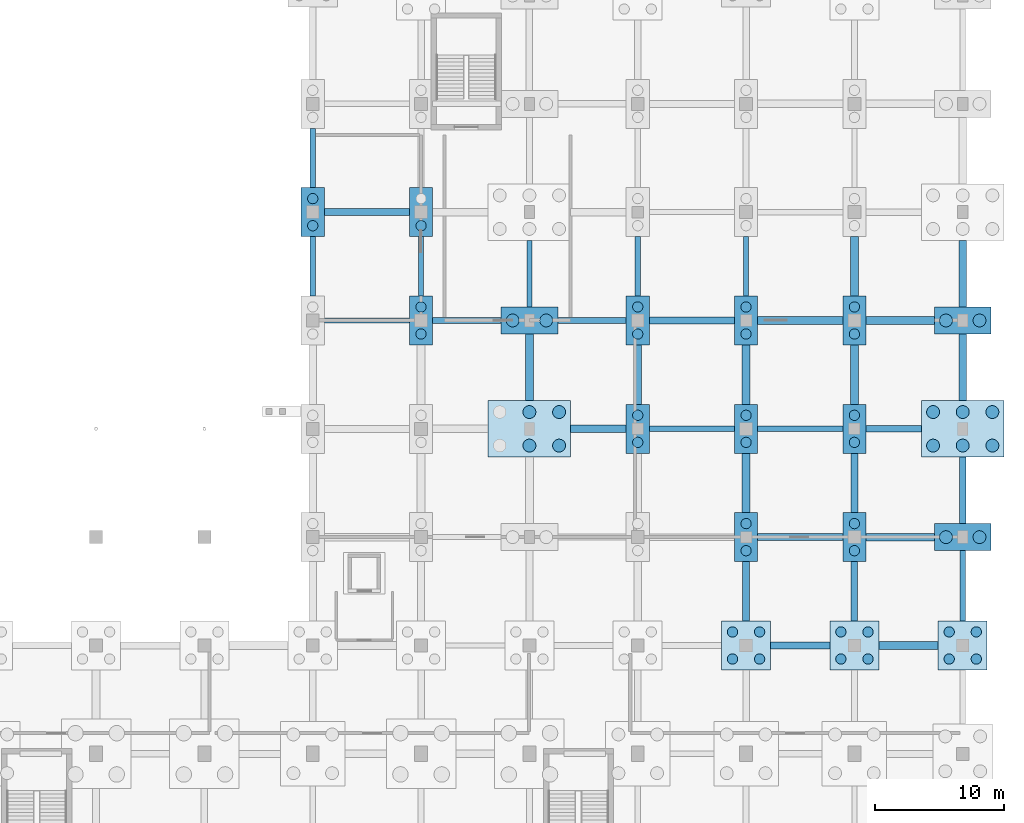
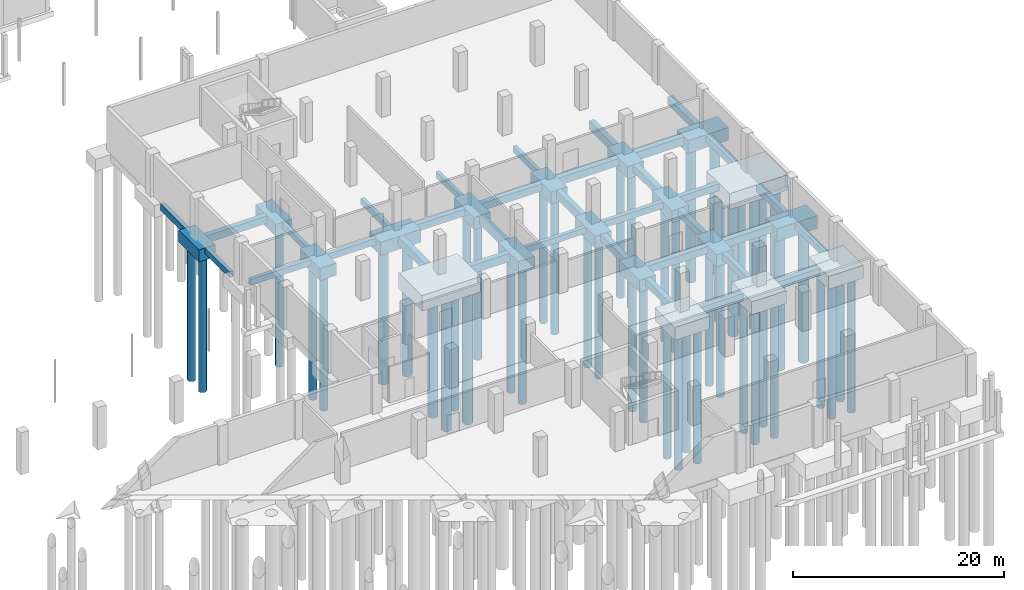
# One storey, part 7 of 39: 53 footings, 49 piles.
"""IFC4 building model written with IfcOpenShell, lengths in metres."""

import ifcopenshell
import ifcopenshell.guid

model = None  # the IFC model being written
_history = None  # IfcOwnerHistory: only IFC2X3 demands one
_inside = {}  # id of a spatial element -> (the spatial element, [elements in it])
_under = {}  # id of a project, library or spatial element -> (it, [spatial elements below it])
_declared = {}  # id of a project -> (the project, [libraries it declares])
_typed = {}  # id of a type object -> (the type object, [elements of that type])
_made_of = {}  # id of a material, layer set ... -> (it, [elements and type objects made of it])


def new_model(schema):
    """Start an empty IFC model of exactly this schema.

    Asked for "IFC4X3", IfcOpenShell would pick the latest addendum, in which some entities
    have other attributes; the version numbers below select the first issue.
    IFC2X3 requires an IfcOwnerHistory on every rooted entity: one is made here for all.
    """
    global model, _history
    if schema == "IFC4X3":
        model = ifcopenshell.file(schema_version=(4, 3, 0, 0))
    else:
        model = ifcopenshell.file(schema=schema)
    _inside.clear()
    _under.clear()
    _declared.clear()
    _typed.clear()
    _made_of.clear()
    _history = None
    if model.schema == "IFC2X3":
        org = make("IfcOrganization", Name="unknown")
        user = make(
            "IfcPersonAndOrganization",
            ThePerson=make("IfcPerson", FamilyName="unknown"),
            TheOrganization=org,
        )
        app = make(
            "IfcApplication",
            ApplicationDeveloper=org,
            Version="unknown",
            ApplicationFullName="unknown",
            ApplicationIdentifier="unknown",
        )
        _history = make(
            "IfcOwnerHistory",
            OwningUser=user,
            OwningApplication=app,
            ChangeAction="ADDED",
            CreationDate=0,
        )
    return model


def make(cls, **values):
    """One entity of the class cls with the attributes given. An attribute that is None is left unset."""
    return model.create_entity(
        cls, **{name: value for name, value in values.items() if value is not None}
    )


def rooted(cls, **values):
    """An entity with a GlobalId (a new one), such as an element, a storey or a relation."""
    return make(cls, GlobalId=ifcopenshell.guid.new(), OwnerHistory=_history, **values)


def si_unit(unit_type, name, prefix=None):
    """IfcSIUnit, for example si_unit("LENGTHUNIT", "METRE", prefix="MILLI")."""
    return make("IfcSIUnit", UnitType=unit_type, Prefix=prefix, Name=name)


def derived_unit(unit_type, elements):
    """IfcDerivedUnit: a product of units, each with its exponent."""
    return make(
        "IfcDerivedUnit",
        Elements=[
            make("IfcDerivedUnitElement", Unit=unit, Exponent=power)
            for unit, power in elements
        ],
        UnitType=unit_type,
    )


def assignment(units):
    """IfcUnitAssignment: the units of a project."""
    return None if units is None else make("IfcUnitAssignment", Units=units)


def point(xyz):
    """IfcCartesianPoint."""
    return None if xyz is None else make("IfcCartesianPoint", Coordinates=xyz)


def direction(xyz):
    """IfcDirection."""
    return None if xyz is None else make("IfcDirection", DirectionRatios=xyz)


def frame(location, z_axis=None, x_axis=None):
    """IfcAxis2Placement3D, a coordinate frame: its origin and axes. An axis left out is left unset."""
    return make(
        "IfcAxis2Placement3D",
        Location=point(location),
        Axis=direction(z_axis),
        RefDirection=direction(x_axis),
    )


def frame_2d(location, x_axis=None):
    """IfcAxis2Placement2D, a coordinate frame in the plane: its origin and x axis."""
    return make(
        "IfcAxis2Placement2D", Location=point(location), RefDirection=direction(x_axis)
    )


def origin():
    """The frame at (0, 0, 0) with its axes left unset."""
    return frame((0.0, 0.0, 0.0))


def origin_2d():
    """The frame at (0, 0) in the plane with its x axis left unset."""
    return frame_2d((0.0, 0.0))


def place(relative_to, where):
    """IfcLocalPlacement: puts the frame where relative to a parent placement (None: the world)."""
    return make(
        "IfcLocalPlacement", PlacementRelTo=relative_to, RelativePlacement=where
    )


def context(
    kind, dimensions, precision=None, world=None, true_north=None, identifier=None
):
    """IfcGeometricRepresentationContext, for example the 3D "Model" context."""
    return make(
        "IfcGeometricRepresentationContext",
        ContextIdentifier=identifier,
        ContextType=kind,
        CoordinateSpaceDimension=dimensions,
        Precision=precision,
        WorldCoordinateSystem=world,
        TrueNorth=true_north,
    )


def subcontext(parent, identifier, kind, view, scale=None):
    """IfcGeometricRepresentationSubContext, for example "Body" below "Model"."""
    return make(
        "IfcGeometricRepresentationSubContext",
        ContextIdentifier=identifier,
        ContextType=kind,
        ParentContext=parent,
        TargetScale=scale,
        TargetView=view,
    )


def project(units=None, contexts=None):
    """IfcProject with its units and contexts."""
    return rooted(
        "IfcProject",
        Name="project",
        RepresentationContexts=contexts,
        UnitsInContext=assignment(units),
    )


def spatial(cls, under=None, at=None, **own):
    """A site, building, storey or space (cls), placed at a placement, below another one or the project."""
    s = rooted(cls, ObjectPlacement=at, **own)
    if under is not None:
        _under.setdefault(under.id(), (under, []))[1].append(s)
    return s


def polyline(points):
    """IfcPolyline through the points."""
    return make("IfcPolyline", Points=[point(p) for p in points])


def profile(cls, at=None, kind="AREA", **sizes):
    """A parametric profile (cls). Its sizes go by their IFC names, for example OverallWidth=200.0."""
    return make(cls, ProfileType=kind, Position=at, **sizes)


def rectangle(**sizes):
    """IfcRectangleProfileDef."""
    return profile("IfcRectangleProfileDef", **sizes)


def circle(**sizes):
    """IfcCircleProfileDef."""
    return profile("IfcCircleProfileDef", **sizes)


def outline(outer, holes=None, kind="AREA"):
    """IfcArbitraryClosedProfileDef: a profile drawn as a closed curve; with holes, ...WithVoids."""
    if holes is None:
        return make("IfcArbitraryClosedProfileDef", ProfileType=kind, OuterCurve=outer)
    return make(
        "IfcArbitraryProfileDefWithVoids",
        ProfileType=kind,
        OuterCurve=outer,
        InnerCurves=holes,
    )


def extrude(swept, where, along, depth):
    """IfcExtrudedAreaSolid: the profile swept, set in the frame where, extruded along a direction by depth."""
    return make(
        "IfcExtrudedAreaSolid",
        SweptArea=swept,
        Position=where,
        ExtrudedDirection=direction(along),
        Depth=depth,
    )


def shape(context_of_items, identifier, shape_type, items):
    """IfcShapeRepresentation: the items that make up one representation, for example the "Body"."""
    return make(
        "IfcShapeRepresentation",
        ContextOfItems=context_of_items,
        RepresentationIdentifier=identifier,
        RepresentationType=shape_type,
        Items=items,
    )


def material(Name=None, Category=None):
    """IfcMaterial."""
    return make("IfcMaterial", Name=Name, Category=Category)


def material_profile(
    of_material, cross_section, Name=None, Category=None, Priority=None
):
    """IfcMaterialProfile: a cross section and its material."""
    return make(
        "IfcMaterialProfile",
        Name=Name,
        Material=of_material,
        Profile=cross_section,
        Priority=Priority,
        Category=Category,
    )


def profile_set(profiles, Name=None, composite=None):
    """IfcMaterialProfileSet."""
    return make(
        "IfcMaterialProfileSet",
        Name=Name,
        MaterialProfiles=profiles,
        CompositeProfile=composite,
    )


def made_of(thing, what):
    """Note that an element or type object is made of a material, layer set ...; save() writes the relation."""
    if what is not None:
        _made_of.setdefault(what.id(), (what, []))[1].append(thing)
    return thing


def type_object(cls, material=None, **own):
    """A type object (cls), such as IfcWallType, which elements share."""
    return made_of(rooted(cls, **own), material)


def element(
    cls,
    number,
    at=None,
    inside=None,
    cuts=None,
    type_object=None,
    material=None,
    context=None,
    identifier="Body",
    shape_type=None,
    held_by="IfcProductDefinitionShape",
    body=None,
    shapes=None,
    **own,
):
    """One element of the class cls, such as IfcWall. Its Tag is "e" and its number.

    at: its placement. inside: the storey or other place that contains it. cuts: it is an
    opening in that element (IfcRelVoidsElement). A single representation is given by context,
    identifier, shape_type and body (its items); several are given by shapes. held_by: the class
    of the entity that holds the representations. save() writes the other relations.
    """
    e = rooted(cls, Tag="e%d" % number, ObjectPlacement=at, **own)
    if body is not None:
        shapes = [shape(context, identifier, shape_type, body)]
    if shapes is not None:
        e.Representation = make(held_by, Representations=shapes)
    if inside is not None:
        _inside.setdefault(inside.id(), (inside, []))[1].append(e)
    if cuts is not None:
        rooted(
            "IfcRelVoidsElement", RelatingBuildingElement=cuts, RelatedOpeningElement=e
        )
    if type_object is not None:
        _typed.setdefault(type_object.id(), (type_object, []))[1].append(e)
    return made_of(e, material)


def aggregate(whole, parts):
    """IfcRelAggregates: a whole, such as a stair, and the parts it consists of."""
    return rooted("IfcRelAggregates", RelatingObject=whole, RelatedObjects=parts)


def save(model, path):
    """Write the relations noted so far, then the file.

    IfcRelAggregates (storeys below a building ...), IfcRelContainedInSpatialStructure (elements
    in a storey), IfcRelDefinesByType, IfcRelAssociatesMaterial and IfcRelDeclares: one each for
    every whole, place, type object, material and project.
    """
    for whole, parts in _under.values():
        aggregate(whole, parts)
    for where, things in _inside.values():
        rooted(
            "IfcRelContainedInSpatialStructure",
            RelatedElements=things,
            RelatingStructure=where,
        )
    for kind, things in _typed.values():
        rooted("IfcRelDefinesByType", RelatedObjects=things, RelatingType=kind)
    for what, things in _made_of.values():
        rooted("IfcRelAssociatesMaterial", RelatedObjects=things, RelatingMaterial=what)
    for by, libraries in _declared.values():
        rooted("IfcRelDeclares", RelatingContext=by, RelatedDefinitions=libraries)
    model.write(path)


model = new_model("IFC4")

# Units and contexts
model_context = context("Model", 3, precision=1e-05, world=origin(), true_north=direction((0.0, 1.0)))
body_context = subcontext(model_context, "Body", "Model", "MODEL_VIEW")
ifc_project = project(units=[si_unit("LENGTHUNIT", "METRE"), si_unit("AREAUNIT", "SQUARE_METRE"), si_unit("VOLUMEUNIT", "CUBIC_METRE"), si_unit("PLANEANGLEUNIT", "RADIAN"), si_unit("MASSUNIT", "GRAM", prefix="KILO"), derived_unit("THERMALTRANSMITTANCEUNIT", [(si_unit("POWERUNIT", "WATT"), 1), (si_unit("LENGTHUNIT", "METRE"), -2), (si_unit("THERMODYNAMICTEMPERATUREUNIT", "KELVIN"), -1)])], contexts=[model_context])

# Site, building, storey
site_placement = place(None, origin())
site = spatial("IfcSite", under=ifc_project, at=site_placement, CompositionType="ELEMENT")
building_placement = place(site_placement, origin())
building = spatial("IfcBuilding", under=site, at=building_placement, Name="Barrovel Congress Hotel", CompositionType="ELEMENT")
storey_placement = place(building_placement, frame((0.0, 0.0, -4.5)))
storey = spatial("IfcBuildingStorey", under=building, at=storey_placement, Name="B01", CompositionType="ELEMENT", Elevation=-4.5)

# Footings
ifc_material_1 = material(Name="Concrete C40", Category="concrete")
footing_type_1 = type_object("IfcFootingType", Name="CAP-PC-04", PredefinedType="PILE_CAP", material=ifc_material_1)
for number, where, z_axis, x_axis, name in (
    (1, (126.0, 63.0, -1.760009765625), (0.0, 0.0, 1.0), (1.0, 0.0, 0.0), "CAP:B01:126.0:63.0"),
    (2, (134.39990234375, 54.60009765625, -1.760009765625), (0.0, 0.0, 1.0), (1.0, 0.0, 0.0), "CAP:B01:134.4:54.6"),
    (3, (134.39990234375, 63.0, -1.760009765625), (0.0, 0.0, 1.0), (1.0, 0.0, 0.0), "CAP:B01:134.4:63.0"),
    (4, (151.199951171875, 46.199951171875, -1.760009765625), (0.0, 0.0, 1.0), (1.0, 0.0, 0.0), "CAP:B01:151.2:46.2"),
    (5, (151.199951171875, 54.60009765625, -1.760009765625), (0.0, 0.0, 1.0), (1.0, 0.0, 0.0), "CAP:B01:151.2:54.6"),
    (6, (159.60009765625, 37.800048828125, -1.760009765625), (0.0, 0.0, 1.0), (1.0, 0.0, 0.0), "CAP:B01:159.6:37.8"),
    (7, (159.60009765625, 46.199951171875, -1.760009765625), (0.0, 0.0, 1.0), (1.0, 0.0, 0.0), "CAP:B01:159.6:46.2"),
    (8, (159.60009765625, 54.60009765625, -1.760009765625), (0.0, 0.0, 1.0), (1.0, 0.0, 0.0), "CAP:B01:159.6:54.6"),
    (9, (168.0, 37.800048828125, -1.760009765625), (0.0, 0.0, 1.0), (1.0, 0.0, 0.0), "CAP:B01:168.0:37.8"),
    (10, (168.0, 46.199951171875, -1.760009765625), (0.0, 0.0, 1.0), (1.0, 0.0, 0.0), "CAP:B01:168.0:46.2"),
    (11, (168.0, 54.60009765625, -1.760009765625), (0.0, 0.0, 1.0), (1.0, 0.0, 0.0), "CAP:B01:168.0:54.6"),
):
    element("IfcFooting", number, at=place(storey_placement, frame(where, z_axis=z_axis, x_axis=x_axis)), inside=storey, type_object=footing_type_1, Name=name, PredefinedType="PILE_CAP", context=body_context, shape_type="SweptSolid", body=[
        extrude(rectangle(XDim=1.800048828125, YDim=3.800048828125, at=origin_2d()), origin(), (0.0, 0.0, 1.0), 1.39990234375),
    ])
footing_type_2 = type_object("IfcFootingType", Name="CAP-PC-05", PredefinedType="PILE_CAP", material=ifc_material_1)
for number, where, z_axis, x_axis, name in (
    (12, (142.800048828125, 54.60009765625, -1.860107421875), (0.0, 0.0, 1.0), (1.0, 0.0, 0.0), "CAP:B01:142.8:54.6"),
    (13, (176.39990234375, 37.800048828125, -1.860107421875), (0.0, 0.0, 1.0), (1.0, 0.0, 0.0), "CAP:B01:176.4:37.8"),
    (14, (176.39990234375, 54.60009765625, -1.860107421875), (0.0, 0.0, 1.0), (1.0, 0.0, 0.0), "CAP:B01:176.4:54.6"),
):
    element("IfcFooting", number, at=place(storey_placement, frame(where, z_axis=z_axis, x_axis=x_axis)), inside=storey, type_object=footing_type_2, Name=name, PredefinedType="PILE_CAP", context=body_context, shape_type="SweptSolid", body=[
        extrude(rectangle(XDim=4.39990234375, YDim=2.10009765625, at=origin_2d()), origin(), (0.0, 0.0, 1.0), 1.5),
    ])
footing_type_3 = type_object("IfcFootingType", Name="CAP-PC-07", PredefinedType="PILE_CAP", material=ifc_material_1)
for number, where, z_axis, x_axis, name in (
    (15, (159.60009765625, 29.39990234375, -1.860107421875), (0.0, 0.0, 1.0), (1.0, 0.0, 0.0), "CAP:B01:159.6:29.4"),
    (16, (168.0, 29.39990234375, -1.860107421875), (0.0, 0.0, 1.0), (1.0, 0.0, 0.0), "CAP:B01:168.0:29.4"),
    (17, (176.39990234375, 29.39990234375, -1.860107421875), (0.0, 0.0, 1.0), (1.0, 0.0, 0.0), "CAP:B01:176.4:29.4"),
):
    element("IfcFooting", number, at=place(storey_placement, frame(where, z_axis=z_axis, x_axis=x_axis)), inside=storey, type_object=footing_type_3, Name=name, PredefinedType="PILE_CAP", context=body_context, shape_type="SweptSolid", body=[
        extrude(rectangle(XDim=3.800048828125, YDim=3.800048828125, at=origin_2d()), origin(), (0.0, 0.0, 1.0), 1.5),
    ])
footing_type_4 = type_object("IfcFootingType", Name="CAP-PC-12", PredefinedType="PILE_CAP", material=ifc_material_1)
for number, where, z_axis, x_axis, name in (
    (18, (142.800048828125, 46.199951171875, -2.16015625), (0.0, 0.0, 1.0), (1.0, 0.0, 0.0), "CAP:B01:142.8:46.2"),
    (19, (176.39990234375, 46.199951171875, -2.16015625), (0.0, 0.0, 1.0), (1.0, 0.0, 0.0), "CAP:B01:176.4:46.2"),
):
    element("IfcFooting", number, at=place(storey_placement, frame(where, z_axis=z_axis, x_axis=x_axis)), inside=storey, type_object=footing_type_4, Name=name, PredefinedType="PILE_CAP", context=body_context, shape_type="SweptSolid", body=[
        extrude(rectangle(XDim=6.39990234375, YDim=4.39990234375, at=origin_2d()), origin(), (0.0, 0.0, 1.0), 1.800048828125),
    ])
footing_type_5 = type_object("IfcFootingType", Name="FB-400x700", PredefinedType="FOOTING_BEAM", material=ifc_material_1)
footing_1_placement = place(storey_placement, frame((0.0, 0.0, -1.06005859375)))
element("IfcFooting", 20, at=footing_1_placement, inside=storey, type_object=footing_type_5, Name="FBX:B01:46.2:151.2-159.6", PredefinedType="FOOTING_BEAM", context=body_context, shape_type="SweptSolid", body=[
    extrude(outline(polyline([(152.10009765625, 46.0), (158.699951171875, 46.0), (158.699951171875, 46.39990234375), (152.10009765625, 46.39990234375), (152.10009765625, 46.0)])), origin(), (0.0, 0.0, 1.0), 0.699951171875),
])
footing_2_placement = place(storey_placement, frame((0.0, 0.0, -1.06005859375)))
element("IfcFooting", 21, at=footing_2_placement, inside=storey, type_object=footing_type_5, Name="FBX:B01:54.6:126.0-134.4", PredefinedType="FOOTING_BEAM", context=body_context, shape_type="SweptSolid", body=[
    extrude(outline(polyline([(126.89990234375, 54.39990234375), (133.5, 54.39990234375), (133.5, 54.800048828125), (126.89990234375, 54.800048828125), (126.89990234375, 54.39990234375)])), origin(), (0.0, 0.0, 1.0), 0.699951171875),
])
footing_3_placement = place(storey_placement, frame((0.0, 0.0, -1.06005859375)))
element("IfcFooting", 22, at=footing_3_placement, inside=storey, type_object=footing_type_5, Name="FBY:B01:126.0:54.6-63.0", PredefinedType="FOOTING_BEAM", context=body_context, shape_type="SweptSolid", body=[
    extrude(outline(polyline([(125.800048828125, 56.5), (126.199951171875, 56.5), (126.199951171875, 61.10009765625), (125.800048828125, 61.10009765625), (125.800048828125, 56.5)])), origin(), (0.0, 0.0, 1.0), 0.699951171875),
])
footing_4_placement = place(storey_placement, frame((0.0, 0.0, -1.06005859375)))
element("IfcFooting", 23, at=footing_4_placement, inside=storey, type_object=footing_type_5, Name="FBY:B01:134.4:54.6-63.0", PredefinedType="FOOTING_BEAM", context=body_context, shape_type="SweptSolid", body=[
    extrude(outline(polyline([(134.199951171875, 56.5), (134.60009765625, 56.5), (134.60009765625, 61.10009765625), (134.199951171875, 61.10009765625), (134.199951171875, 56.5)])), origin(), (0.0, 0.0, 1.0), 0.699951171875),
])
footing_5_placement = place(storey_placement, frame((0.0, 0.0, -1.06005859375)))
element("IfcFooting", 24, at=footing_5_placement, inside=storey, type_object=footing_type_5, Name="FBY:B01:142.8:54.6-63.0", PredefinedType="FOOTING_BEAM", context=body_context, shape_type="SweptSolid", body=[
    extrude(outline(polyline([(142.60009765625, 55.64990234375), (143.0, 55.64990234375), (143.0, 60.800048828125), (142.60009765625, 60.800048828125), (142.60009765625, 55.64990234375)])), origin(), (0.0, 0.0, 1.0), 0.699951171875),
])
footing_6_placement = place(storey_placement, frame((0.0, 0.0, -1.06005859375)))
element("IfcFooting", 25, at=footing_6_placement, inside=storey, type_object=footing_type_5, Name="FBY:B01:151.2:54.6-63.0", PredefinedType="FOOTING_BEAM", context=body_context, shape_type="SweptSolid", body=[
    extrude(outline(polyline([(151.0, 56.5), (151.39990234375, 56.5), (151.39990234375, 61.10009765625), (151.0, 61.10009765625), (151.0, 56.5)])), origin(), (0.0, 0.0, 1.0), 0.699951171875),
])
footing_7_placement = place(storey_placement, frame((0.0, 0.0, -1.06005859375)))
element("IfcFooting", 26, at=footing_7_placement, inside=storey, type_object=footing_type_5, Name="FBY:B01:159.6:54.6-63.0", PredefinedType="FOOTING_BEAM", context=body_context, shape_type="SweptSolid", body=[
    extrude(outline(polyline([(159.39990234375, 56.5), (159.800048828125, 56.5), (159.800048828125, 61.10009765625), (159.39990234375, 61.10009765625), (159.39990234375, 56.5)])), origin(), (0.0, 0.0, 1.0), 0.699951171875),
])
footing_type_6 = type_object("IfcFootingType", Name="FB-450x750", PredefinedType="FOOTING_BEAM", material=ifc_material_1)
footing_8_placement = place(storey_placement, frame((0.0, 0.0, -1.110107421875)))
element("IfcFooting", 27, at=footing_8_placement, inside=storey, type_object=footing_type_6, Name="FBX:B01:46.2:159.6-168.0", PredefinedType="FOOTING_BEAM", context=body_context, shape_type="SweptSolid", body=[
    extrude(outline(polyline([(160.5, 45.97509765625), (167.10009765625, 45.97509765625), (167.10009765625, 46.425048828125), (160.5, 46.425048828125), (160.5, 45.97509765625)])), origin(), (0.0, 0.0, 1.0), 0.75),
])
footing_9_placement = place(storey_placement, frame((0.0, 0.0, -1.110107421875)))
element("IfcFooting", 28, at=footing_9_placement, inside=storey, type_object=footing_type_6, Name="FBX:B01:54.6:134.4-142.8", PredefinedType="FOOTING_BEAM", context=body_context, shape_type="SweptSolid", body=[
    extrude(outline(polyline([(135.300048828125, 54.375), (140.60009765625, 54.375), (140.60009765625, 54.824951171875), (135.300048828125, 54.824951171875), (135.300048828125, 54.375)])), origin(), (0.0, 0.0, 1.0), 0.75),
])
footing_10_placement = place(storey_placement, frame((0.0, 0.0, -1.110107421875)))
element("IfcFooting", 29, at=footing_10_placement, inside=storey, type_object=footing_type_6, Name="FBY:B01:126.0:63.0-71.4", PredefinedType="FOOTING_BEAM", context=body_context, shape_type="SweptSolid", body=[
    extrude(outline(polyline([(125.77490234375, 64.89990234375), (126.22509765625, 64.89990234375), (126.22509765625, 69.5), (125.77490234375, 69.5), (125.77490234375, 64.89990234375)])), origin(), (0.0, 0.0, 1.0), 0.75),
])
footing_11_placement = place(storey_placement, frame((0.0, 0.0, -1.110107421875)))
element("IfcFooting", 30, at=footing_11_placement, inside=storey, type_object=footing_type_6, Name="FBY:B01:176.4:29.4-37.8", PredefinedType="FOOTING_BEAM", context=body_context, shape_type="SweptSolid", body=[
    extrude(outline(polyline([(176.175048828125, 31.300048828125), (176.625, 31.300048828125), (176.625, 36.75), (176.175048828125, 36.75), (176.175048828125, 31.300048828125)])), origin(), (0.0, 0.0, 1.0), 0.75),
])
footing_type_7 = type_object("IfcFootingType", Name="FB-500x800", PredefinedType="FOOTING_BEAM", material=ifc_material_1)
footing_12_placement = place(storey_placement, frame((0.0, 0.0, -1.159912109375)))
element("IfcFooting", 31, at=footing_12_placement, inside=storey, type_object=footing_type_7, Name="FBX:B01:46.2:168.0-176.4", PredefinedType="FOOTING_BEAM", context=body_context, shape_type="SweptSolid", body=[
    extrude(outline(polyline([(168.89990234375, 45.949951171875), (173.199951171875, 45.949951171875), (173.199951171875, 46.449951171875), (168.89990234375, 46.449951171875), (168.89990234375, 45.949951171875)])), origin(), (0.0, 0.0, 1.0), 0.7998046875),
])
footing_13_placement = place(storey_placement, frame((0.0, 0.0, -1.159912109375)))
element("IfcFooting", 32, at=footing_13_placement, inside=storey, type_object=footing_type_7, Name="FBX:B01:54.6:142.8-151.2", PredefinedType="FOOTING_BEAM", context=body_context, shape_type="SweptSolid", body=[
    extrude(outline(polyline([(145.0, 54.35009765625), (150.300048828125, 54.35009765625), (150.300048828125, 54.85009765625), (145.0, 54.85009765625), (145.0, 54.35009765625)])), origin(), (0.0, 0.0, 1.0), 0.7998046875),
])
footing_14_placement = place(storey_placement, frame((0.0, 0.0, -1.159912109375)))
element("IfcFooting", 33, at=footing_14_placement, inside=storey, type_object=footing_type_7, Name="FBY:B01:168.0:29.4-37.8", PredefinedType="FOOTING_BEAM", context=body_context, shape_type="SweptSolid", body=[
    extrude(outline(polyline([(167.75, 31.300048828125), (168.25, 31.300048828125), (168.25, 35.89990234375), (167.75, 35.89990234375), (167.75, 31.300048828125)])), origin(), (0.0, 0.0, 1.0), 0.7998046875),
])
footing_15_placement = place(storey_placement, frame((0.0, 0.0, -1.159912109375)))
element("IfcFooting", 34, at=footing_15_placement, inside=storey, type_object=footing_type_7, Name="FBY:B01:176.4:37.8-46.2", PredefinedType="FOOTING_BEAM", context=body_context, shape_type="SweptSolid", body=[
    extrude(outline(polyline([(176.14990234375, 38.85009765625), (176.64990234375, 38.85009765625), (176.64990234375, 44.0), (176.14990234375, 44.0), (176.14990234375, 38.85009765625)])), origin(), (0.0, 0.0, 1.0), 0.7998046875),
])
footing_type_8 = type_object("IfcFootingType", Name="FB-550x850", PredefinedType="FOOTING_BEAM", material=ifc_material_1)
footing_16_placement = place(storey_placement, frame((0.0, 0.0, -1.2099609375)))
element("IfcFooting", 35, at=footing_16_placement, inside=storey, type_object=footing_type_8, Name="FBX:B01:29.4:159.6-168.0", PredefinedType="FOOTING_BEAM", context=body_context, shape_type="SweptSolid", body=[
    extrude(outline(polyline([(161.5, 29.125), (166.10009765625, 29.125), (166.10009765625, 29.675048828125), (161.5, 29.675048828125), (161.5, 29.125)])), origin(), (0.0, 0.0, 1.0), 0.849853515625),
])
footing_17_placement = place(storey_placement, frame((0.0, 0.0, -1.2099609375)))
element("IfcFooting", 36, at=footing_17_placement, inside=storey, type_object=footing_type_8, Name="FBX:B01:37.8:159.6-168.0", PredefinedType="FOOTING_BEAM", context=body_context, shape_type="SweptSolid", body=[
    extrude(outline(polyline([(160.5, 37.52490234375), (167.10009765625, 37.52490234375), (167.10009765625, 38.074951171875), (160.5, 38.074951171875), (160.5, 37.52490234375)])), origin(), (0.0, 0.0, 1.0), 0.849853515625),
])
footing_18_placement = place(storey_placement, frame((0.0, 0.0, -1.2099609375)))
element("IfcFooting", 37, at=footing_18_placement, inside=storey, type_object=footing_type_8, Name="FBX:B01:54.6:151.2-159.6", PredefinedType="FOOTING_BEAM", context=body_context, shape_type="SweptSolid", body=[
    extrude(outline(polyline([(152.10009765625, 54.324951171875), (158.699951171875, 54.324951171875), (158.699951171875, 54.875), (152.10009765625, 54.875), (152.10009765625, 54.324951171875)])), origin(), (0.0, 0.0, 1.0), 0.849853515625),
])
footing_19_placement = place(storey_placement, frame((0.0, 0.0, -1.2099609375)))
element("IfcFooting", 38, at=footing_19_placement, inside=storey, type_object=footing_type_8, Name="FBX:B01:63.0:126.0-134.4", PredefinedType="FOOTING_BEAM", context=body_context, shape_type="SweptSolid", body=[
    extrude(outline(polyline([(126.89990234375, 62.72509765625), (133.5, 62.72509765625), (133.5, 63.27490234375), (126.89990234375, 63.27490234375), (126.89990234375, 62.72509765625)])), origin(), (0.0, 0.0, 1.0), 0.849853515625),
])
footing_20_placement = place(storey_placement, frame((0.0, 0.0, -1.2099609375)))
element("IfcFooting", 39, at=footing_20_placement, inside=storey, type_object=footing_type_8, Name="FBY:B01:159.6:29.4-37.8", PredefinedType="FOOTING_BEAM", context=body_context, shape_type="SweptSolid", body=[
    extrude(outline(polyline([(159.324951171875, 31.300048828125), (159.875, 31.300048828125), (159.875, 35.89990234375), (159.324951171875, 35.89990234375), (159.324951171875, 31.300048828125)])), origin(), (0.0, 0.0, 1.0), 0.849853515625),
])
footing_21_placement = place(storey_placement, frame((0.0, 0.0, -1.2099609375)))
element("IfcFooting", 40, at=footing_21_placement, inside=storey, type_object=footing_type_8, Name="FBY:B01:168.0:37.8-46.2", PredefinedType="FOOTING_BEAM", context=body_context, shape_type="SweptSolid", body=[
    extrude(outline(polyline([(167.72509765625, 39.699951171875), (168.27490234375, 39.699951171875), (168.27490234375, 44.300048828125), (167.72509765625, 44.300048828125), (167.72509765625, 39.699951171875)])), origin(), (0.0, 0.0, 1.0), 0.849853515625),
])
footing_22_placement = place(storey_placement, frame((0.0, 0.0, -1.2099609375)))
element("IfcFooting", 41, at=footing_22_placement, inside=storey, type_object=footing_type_8, Name="FBY:B01:176.4:46.2-54.6", PredefinedType="FOOTING_BEAM", context=body_context, shape_type="SweptSolid", body=[
    extrude(outline(polyline([(176.125, 48.39990234375), (176.675048828125, 48.39990234375), (176.675048828125, 53.550048828125), (176.125, 53.550048828125), (176.125, 48.39990234375)])), origin(), (0.0, 0.0, 1.0), 0.849853515625),
])
footing_type_9 = type_object("IfcFootingType", Name="FB-600x850", PredefinedType="FOOTING_BEAM", material=ifc_material_1)
footing_23_placement = place(storey_placement, frame((0.0, 0.0, -1.2099609375)))
element("IfcFooting", 42, at=footing_23_placement, inside=storey, type_object=footing_type_9, Name="FBX:B01:29.4:168.0-176.4", PredefinedType="FOOTING_BEAM", context=body_context, shape_type="SweptSolid", body=[
    extrude(outline(polyline([(169.89990234375, 29.10009765625), (174.5, 29.10009765625), (174.5, 29.699951171875), (169.89990234375, 29.699951171875), (169.89990234375, 29.10009765625)])), origin(), (0.0, 0.0, 1.0), 0.849853515625),
])
footing_24_placement = place(storey_placement, frame((0.0, 0.0, -1.2099609375)))
element("IfcFooting", 43, at=footing_24_placement, inside=storey, type_object=footing_type_9, Name="FBX:B01:37.8:168.0-176.4", PredefinedType="FOOTING_BEAM", context=body_context, shape_type="SweptSolid", body=[
    extrude(outline(polyline([(168.89990234375, 37.5), (174.199951171875, 37.5), (174.199951171875, 38.10009765625), (168.89990234375, 38.10009765625), (168.89990234375, 37.5)])), origin(), (0.0, 0.0, 1.0), 0.849853515625),
])
footing_25_placement = place(storey_placement, frame((0.0, 0.0, -1.2099609375)))
element("IfcFooting", 44, at=footing_25_placement, inside=storey, type_object=footing_type_9, Name="FBX:B01:54.6:159.6-168.0", PredefinedType="FOOTING_BEAM", context=body_context, shape_type="SweptSolid", body=[
    extrude(outline(polyline([(160.5, 54.300048828125), (167.10009765625, 54.300048828125), (167.10009765625, 54.89990234375), (160.5, 54.89990234375), (160.5, 54.300048828125)])), origin(), (0.0, 0.0, 1.0), 0.849853515625),
])
footing_26_placement = place(storey_placement, frame((0.0, 0.0, -1.2099609375)))
element("IfcFooting", 45, at=footing_26_placement, inside=storey, type_object=footing_type_9, Name="FBY:B01:159.6:37.8-46.2", PredefinedType="FOOTING_BEAM", context=body_context, shape_type="SweptSolid", body=[
    extrude(outline(polyline([(159.300048828125, 39.699951171875), (159.89990234375, 39.699951171875), (159.89990234375, 44.300048828125), (159.300048828125, 44.300048828125), (159.300048828125, 39.699951171875)])), origin(), (0.0, 0.0, 1.0), 0.849853515625),
])
footing_27_placement = place(storey_placement, frame((0.0, 0.0, -1.2099609375)))
element("IfcFooting", 46, at=footing_27_placement, inside=storey, type_object=footing_type_9, Name="FBY:B01:168.0:46.2-54.6", PredefinedType="FOOTING_BEAM", context=body_context, shape_type="SweptSolid", body=[
    extrude(outline(polyline([(167.699951171875, 48.10009765625), (168.300048828125, 48.10009765625), (168.300048828125, 52.699951171875), (167.699951171875, 52.699951171875), (167.699951171875, 48.10009765625)])), origin(), (0.0, 0.0, 1.0), 0.849853515625),
])
footing_28_placement = place(storey_placement, frame((0.0, 0.0, -1.2099609375)))
element("IfcFooting", 47, at=footing_28_placement, inside=storey, type_object=footing_type_9, Name="FBY:B01:176.4:54.6-63.0", PredefinedType="FOOTING_BEAM", context=body_context, shape_type="SweptSolid", body=[
    extrude(outline(polyline([(176.10009765625, 55.64990234375), (176.699951171875, 55.64990234375), (176.699951171875, 60.800048828125), (176.10009765625, 60.800048828125), (176.10009765625, 55.64990234375)])), origin(), (0.0, 0.0, 1.0), 0.849853515625),
])
footing_type_10 = type_object("IfcFootingType", Name="FB-600x950", PredefinedType="FOOTING_BEAM", material=ifc_material_1)
footing_29_placement = place(storey_placement, frame((0.0, 0.0, -1.31005859375)))
element("IfcFooting", 48, at=footing_29_placement, inside=storey, type_object=footing_type_10, Name="FBX:B01:46.2:142.8-151.2", PredefinedType="FOOTING_BEAM", context=body_context, shape_type="SweptSolid", body=[
    extrude(outline(polyline([(146.0, 45.89990234375), (150.300048828125, 45.89990234375), (150.300048828125, 46.5), (146.0, 46.5), (146.0, 45.89990234375)])), origin(), (0.0, 0.0, 1.0), 0.949951171875),
])
footing_30_placement = place(storey_placement, frame((0.0, 0.0, -1.31005859375)))
element("IfcFooting", 49, at=footing_30_placement, inside=storey, type_object=footing_type_10, Name="FBX:B01:54.6:168.0-176.4", PredefinedType="FOOTING_BEAM", context=body_context, shape_type="SweptSolid", body=[
    extrude(outline(polyline([(168.89990234375, 54.300048828125), (174.199951171875, 54.300048828125), (174.199951171875, 54.89990234375), (168.89990234375, 54.89990234375), (168.89990234375, 54.300048828125)])), origin(), (0.0, 0.0, 1.0), 0.949951171875),
])
footing_31_placement = place(storey_placement, frame((0.0, 0.0, -1.31005859375)))
element("IfcFooting", 50, at=footing_31_placement, inside=storey, type_object=footing_type_10, Name="FBY:B01:142.8:46.2-54.6", PredefinedType="FOOTING_BEAM", context=body_context, shape_type="SweptSolid", body=[
    extrude(outline(polyline([(142.5, 48.39990234375), (143.10009765625, 48.39990234375), (143.10009765625, 53.550048828125), (142.5, 53.550048828125), (142.5, 48.39990234375)])), origin(), (0.0, 0.0, 1.0), 0.949951171875),
])
footing_32_placement = place(storey_placement, frame((0.0, 0.0, -1.31005859375)))
element("IfcFooting", 51, at=footing_32_placement, inside=storey, type_object=footing_type_10, Name="FBY:B01:151.2:46.2-54.6", PredefinedType="FOOTING_BEAM", context=body_context, shape_type="SweptSolid", body=[
    extrude(outline(polyline([(150.89990234375, 48.10009765625), (151.5, 48.10009765625), (151.5, 52.699951171875), (150.89990234375, 52.699951171875), (150.89990234375, 48.10009765625)])), origin(), (0.0, 0.0, 1.0), 0.949951171875),
])
footing_33_placement = place(storey_placement, frame((0.0, 0.0, -1.31005859375)))
element("IfcFooting", 52, at=footing_33_placement, inside=storey, type_object=footing_type_10, Name="FBY:B01:159.6:46.2-54.6", PredefinedType="FOOTING_BEAM", context=body_context, shape_type="SweptSolid", body=[
    extrude(outline(polyline([(159.300048828125, 48.10009765625), (159.89990234375, 48.10009765625), (159.89990234375, 52.699951171875), (159.300048828125, 52.699951171875), (159.300048828125, 48.10009765625)])), origin(), (0.0, 0.0, 1.0), 0.949951171875),
])
footing_34_placement = place(storey_placement, frame((0.0, 0.0, -1.31005859375)))
element("IfcFooting", 53, at=footing_34_placement, inside=storey, type_object=footing_type_10, Name="FBY:B01:168.0:54.6-63.0", PredefinedType="FOOTING_BEAM", context=body_context, shape_type="SweptSolid", body=[
    extrude(outline(polyline([(167.699951171875, 56.5), (168.300048828125, 56.5), (168.300048828125, 61.10009765625), (167.699951171875, 61.10009765625), (167.699951171875, 56.5)])), origin(), (0.0, 0.0, 1.0), 0.949951171875),
])

# Piles
ifc_material_2 = material(Name="Concrete C35", Category="concrete")
ifc_material_profile_1 = material_profile(ifc_material_2, circle(Radius=0.5, at=origin_2d()), Name="BP-D1000")
ifc_profile_set_1 = profile_set([ifc_material_profile_1], Name="Concrete C35")
pile_type_1 = type_object("IfcPileType", Name="PILE-BP-D1000", PredefinedType="BORED", material=ifc_profile_set_1)
for number, where, z_axis, x_axis, name in (
    (54, (142.800048828125, 44.89990234375, -2.159912109375), (0.0, 0.0, -1.0), (1.0, 0.0, 0.0), "PILE:B01:142.8:46.2:2"),
    (55, (145.10009765625, 44.89990234375, -2.159912109375), (0.0, 0.0, -1.0), (1.0, 0.0, 0.0), "PILE:B01:142.8:46.2:3"),
    (56, (142.800048828125, 47.5, -2.159912109375), (0.0, 0.0, -1.0), (1.0, 0.0, 0.0), "PILE:B01:142.8:46.2:5"),
    (57, (145.10009765625, 47.5, -2.159912109375), (0.0, 0.0, -1.0), (1.0, 0.0, 0.0), "PILE:B01:142.8:46.2:6"),
):
    element("IfcPile", number, at=place(storey_placement, frame(where, z_axis=z_axis, x_axis=x_axis)), inside=storey, type_object=pile_type_1, Name=name, PredefinedType="BORED", context=body_context, shape_type="SweptSolid", body=[
        extrude(circle(Radius=0.5, at=origin_2d()), origin(), (0.0, 0.0, 1.0), 15.239990234375),
    ])
for number, where, z_axis, x_axis, name in (
    (58, (141.5, 54.60009765625, -1.860107421875), (0.0, 0.0, -1.0), (1.0, 0.0, 0.0), "PILE:B01:142.8:54.6:1"),
    (59, (144.10009765625, 54.60009765625, -1.860107421875), (0.0, 0.0, -1.0), (1.0, 0.0, 0.0), "PILE:B01:142.8:54.6:2"),
    (60, (175.10009765625, 37.800048828125, -1.860107421875), (0.0, 0.0, -1.0), (1.0, 0.0, 0.0), "PILE:B01:176.4:37.8:1"),
    (61, (177.699951171875, 37.800048828125, -1.860107421875), (0.0, 0.0, -1.0), (1.0, 0.0, 0.0), "PILE:B01:176.4:37.8:2"),
):
    element("IfcPile", number, at=place(storey_placement, frame(where, z_axis=z_axis, x_axis=x_axis)), inside=storey, type_object=pile_type_1, Name=name, PredefinedType="BORED", context=body_context, shape_type="SweptSolid", body=[
        extrude(circle(Radius=0.5, at=origin_2d()), origin(), (0.0, 0.0, 1.0), 15.5400390625),
    ])
for number, where, z_axis, x_axis, name in (
    (62, (174.10009765625, 44.89990234375, -2.159912109375), (0.0, 0.0, -1.0), (1.0, 0.0, 0.0), "PILE:B01:176.4:46.2:1"),
    (63, (176.39990234375, 44.89990234375, -2.159912109375), (0.0, 0.0, -1.0), (1.0, 0.0, 0.0), "PILE:B01:176.4:46.2:2"),
    (64, (178.699951171875, 44.89990234375, -2.159912109375), (0.0, 0.0, -1.0), (1.0, 0.0, 0.0), "PILE:B01:176.4:46.2:3"),
    (65, (174.10009765625, 47.5, -2.159912109375), (0.0, 0.0, -1.0), (1.0, 0.0, 0.0), "PILE:B01:176.4:46.2:4"),
    (66, (176.39990234375, 47.5, -2.159912109375), (0.0, 0.0, -1.0), (1.0, 0.0, 0.0), "PILE:B01:176.4:46.2:5"),
    (67, (178.699951171875, 47.5, -2.159912109375), (0.0, 0.0, -1.0), (1.0, 0.0, 0.0), "PILE:B01:176.4:46.2:6"),
):
    element("IfcPile", number, at=place(storey_placement, frame(where, z_axis=z_axis, x_axis=x_axis)), inside=storey, type_object=pile_type_1, Name=name, PredefinedType="BORED", context=body_context, shape_type="SweptSolid", body=[
        extrude(circle(Radius=0.5, at=origin_2d()), origin(), (0.0, 0.0, 1.0), 15.239990234375),
    ])
for number, where, z_axis, x_axis, name in (
    (68, (175.10009765625, 54.60009765625, -1.860107421875), (0.0, 0.0, -1.0), (1.0, 0.0, 0.0), "PILE:B01:176.4:54.6:1"),
    (69, (177.699951171875, 54.60009765625, -1.860107421875), (0.0, 0.0, -1.0), (1.0, 0.0, 0.0), "PILE:B01:176.4:54.6:2"),
):
    element("IfcPile", number, at=place(storey_placement, frame(where, z_axis=z_axis, x_axis=x_axis)), inside=storey, type_object=pile_type_1, Name=name, PredefinedType="BORED", context=body_context, shape_type="SweptSolid", body=[
        extrude(circle(Radius=0.5, at=origin_2d()), origin(), (0.0, 0.0, 1.0), 15.5400390625),
    ])
ifc_material_profile_2 = material_profile(ifc_material_2, circle(Radius=0.39990234375, at=origin_2d()), Name="BP-D800")
ifc_profile_set_2 = profile_set([ifc_material_profile_2], Name="Concrete C35")
pile_type_2 = type_object("IfcPileType", Name="PILE-BP-D800", PredefinedType="BORED", material=ifc_profile_set_2)
for number, where, z_axis, x_axis, name in (
    (70, (126.0, 61.949951171875, -1.760009765625), (0.0, 0.0, -1.0), (1.0, 0.0, 0.0), "PILE:B01:126.0:63.0:1"),
    (71, (126.0, 64.050048828125, -1.760009765625), (0.0, 0.0, -1.0), (1.0, 0.0, 0.0), "PILE:B01:126.0:63.0:2"),
    (72, (134.39990234375, 53.550048828125, -1.760009765625), (0.0, 0.0, -1.0), (1.0, 0.0, 0.0), "PILE:B01:134.4:54.6:1"),
    (73, (134.39990234375, 55.64990234375, -1.760009765625), (0.0, 0.0, -1.0), (1.0, 0.0, 0.0), "PILE:B01:134.4:54.6:2"),
    (74, (134.39990234375, 61.949951171875, -1.760009765625), (0.0, 0.0, -1.0), (1.0, 0.0, 0.0), "PILE:B01:134.4:63.0:1"),
    (75, (151.199951171875, 45.14990234375, -1.760009765625), (0.0, 0.0, -1.0), (1.0, 0.0, 0.0), "PILE:B01:151.2:46.2:1"),
    (76, (151.199951171875, 47.25, -1.760009765625), (0.0, 0.0, -1.0), (1.0, 0.0, 0.0), "PILE:B01:151.2:46.2:2"),
    (77, (151.199951171875, 53.550048828125, -1.760009765625), (0.0, 0.0, -1.0), (1.0, 0.0, 0.0), "PILE:B01:151.2:54.6:1"),
    (78, (151.199951171875, 55.64990234375, -1.760009765625), (0.0, 0.0, -1.0), (1.0, 0.0, 0.0), "PILE:B01:151.2:54.6:2"),
):
    element("IfcPile", number, at=place(storey_placement, frame(where, z_axis=z_axis, x_axis=x_axis)), inside=storey, type_object=pile_type_2, Name=name, PredefinedType="BORED", context=body_context, shape_type="SweptSolid", body=[
        extrude(circle(Radius=0.39990234375, at=origin_2d()), origin(), (0.0, 0.0, 1.0), 15.639892578125),
    ])
for number, where, z_axis, x_axis, name in (
    (79, (158.550048828125, 28.35009765625, -1.860107421875), (0.0, 0.0, -1.0), (1.0, 0.0, 0.0), "PILE:B01:159.6:29.4:1"),
    (80, (160.64990234375, 28.35009765625, -1.860107421875), (0.0, 0.0, -1.0), (1.0, 0.0, 0.0), "PILE:B01:159.6:29.4:2"),
    (81, (158.550048828125, 30.449951171875, -1.860107421875), (0.0, 0.0, -1.0), (1.0, 0.0, 0.0), "PILE:B01:159.6:29.4:3"),
    (82, (160.64990234375, 30.449951171875, -1.860107421875), (0.0, 0.0, -1.0), (1.0, 0.0, 0.0), "PILE:B01:159.6:29.4:4"),
):
    element("IfcPile", number, at=place(storey_placement, frame(where, z_axis=z_axis, x_axis=x_axis)), inside=storey, type_object=pile_type_2, Name=name, PredefinedType="BORED", context=body_context, shape_type="SweptSolid", body=[
        extrude(circle(Radius=0.39990234375, at=origin_2d()), origin(), (0.0, 0.0, 1.0), 15.5400390625),
    ])
for number, where, z_axis, x_axis, name in (
    (83, (159.60009765625, 36.75, -1.760009765625), (0.0, 0.0, -1.0), (1.0, 0.0, 0.0), "PILE:B01:159.6:37.8:1"),
    (84, (159.60009765625, 38.85009765625, -1.760009765625), (0.0, 0.0, -1.0), (1.0, 0.0, 0.0), "PILE:B01:159.6:37.8:2"),
    (85, (159.60009765625, 45.14990234375, -1.760009765625), (0.0, 0.0, -1.0), (1.0, 0.0, 0.0), "PILE:B01:159.6:46.2:1"),
    (86, (159.60009765625, 47.25, -1.760009765625), (0.0, 0.0, -1.0), (1.0, 0.0, 0.0), "PILE:B01:159.6:46.2:2"),
    (87, (159.60009765625, 53.550048828125, -1.760009765625), (0.0, 0.0, -1.0), (1.0, 0.0, 0.0), "PILE:B01:159.6:54.6:1"),
    (88, (159.60009765625, 55.64990234375, -1.760009765625), (0.0, 0.0, -1.0), (1.0, 0.0, 0.0), "PILE:B01:159.6:54.6:2"),
):
    element("IfcPile", number, at=place(storey_placement, frame(where, z_axis=z_axis, x_axis=x_axis)), inside=storey, type_object=pile_type_2, Name=name, PredefinedType="BORED", context=body_context, shape_type="SweptSolid", body=[
        extrude(circle(Radius=0.39990234375, at=origin_2d()), origin(), (0.0, 0.0, 1.0), 15.639892578125),
    ])
for number, where, z_axis, x_axis, name in (
    (89, (166.949951171875, 28.35009765625, -1.860107421875), (0.0, 0.0, -1.0), (1.0, 0.0, 0.0), "PILE:B01:168.0:29.4:1"),
    (90, (169.050048828125, 28.35009765625, -1.860107421875), (0.0, 0.0, -1.0), (1.0, 0.0, 0.0), "PILE:B01:168.0:29.4:2"),
    (91, (166.949951171875, 30.449951171875, -1.860107421875), (0.0, 0.0, -1.0), (1.0, 0.0, 0.0), "PILE:B01:168.0:29.4:3"),
    (92, (169.050048828125, 30.449951171875, -1.860107421875), (0.0, 0.0, -1.0), (1.0, 0.0, 0.0), "PILE:B01:168.0:29.4:4"),
):
    element("IfcPile", number, at=place(storey_placement, frame(where, z_axis=z_axis, x_axis=x_axis)), inside=storey, type_object=pile_type_2, Name=name, PredefinedType="BORED", context=body_context, shape_type="SweptSolid", body=[
        extrude(circle(Radius=0.39990234375, at=origin_2d()), origin(), (0.0, 0.0, 1.0), 15.5400390625),
    ])
for number, where, z_axis, x_axis, name in (
    (93, (168.0, 36.75, -1.760009765625), (0.0, 0.0, -1.0), (1.0, 0.0, 0.0), "PILE:B01:168.0:37.8:1"),
    (94, (168.0, 38.85009765625, -1.760009765625), (0.0, 0.0, -1.0), (1.0, 0.0, 0.0), "PILE:B01:168.0:37.8:2"),
    (95, (168.0, 45.14990234375, -1.760009765625), (0.0, 0.0, -1.0), (1.0, 0.0, 0.0), "PILE:B01:168.0:46.2:1"),
    (96, (168.0, 47.25, -1.760009765625), (0.0, 0.0, -1.0), (1.0, 0.0, 0.0), "PILE:B01:168.0:46.2:2"),
    (97, (168.0, 53.550048828125, -1.760009765625), (0.0, 0.0, -1.0), (1.0, 0.0, 0.0), "PILE:B01:168.0:54.6:1"),
    (98, (168.0, 55.64990234375, -1.760009765625), (0.0, 0.0, -1.0), (1.0, 0.0, 0.0), "PILE:B01:168.0:54.6:2"),
):
    element("IfcPile", number, at=place(storey_placement, frame(where, z_axis=z_axis, x_axis=x_axis)), inside=storey, type_object=pile_type_2, Name=name, PredefinedType="BORED", context=body_context, shape_type="SweptSolid", body=[
        extrude(circle(Radius=0.39990234375, at=origin_2d()), origin(), (0.0, 0.0, 1.0), 15.639892578125),
    ])
for number, where, z_axis, x_axis, name in (
    (99, (175.35009765625, 28.35009765625, -1.860107421875), (0.0, 0.0, -1.0), (1.0, 0.0, 0.0), "PILE:B01:176.4:29.4:1"),
    (100, (177.449951171875, 28.35009765625, -1.860107421875), (0.0, 0.0, -1.0), (1.0, 0.0, 0.0), "PILE:B01:176.4:29.4:2"),
    (101, (175.35009765625, 30.449951171875, -1.860107421875), (0.0, 0.0, -1.0), (1.0, 0.0, 0.0), "PILE:B01:176.4:29.4:3"),
    (102, (177.449951171875, 30.449951171875, -1.860107421875), (0.0, 0.0, -1.0), (1.0, 0.0, 0.0), "PILE:B01:176.4:29.4:4"),
):
    element("IfcPile", number, at=place(storey_placement, frame(where, z_axis=z_axis, x_axis=x_axis)), inside=storey, type_object=pile_type_2, Name=name, PredefinedType="BORED", context=body_context, shape_type="SweptSolid", body=[
        extrude(circle(Radius=0.39990234375, at=origin_2d()), origin(), (0.0, 0.0, 1.0), 15.5400390625),
    ])

save(model, "model.ifc")
